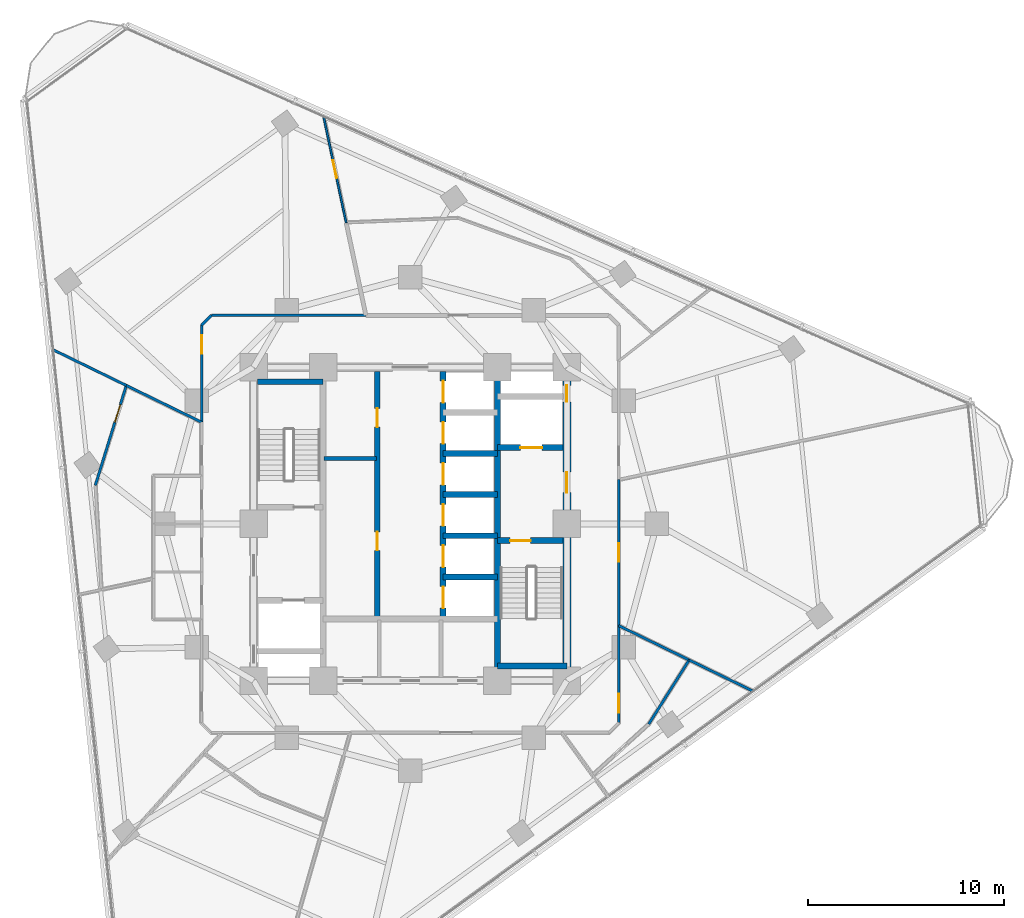
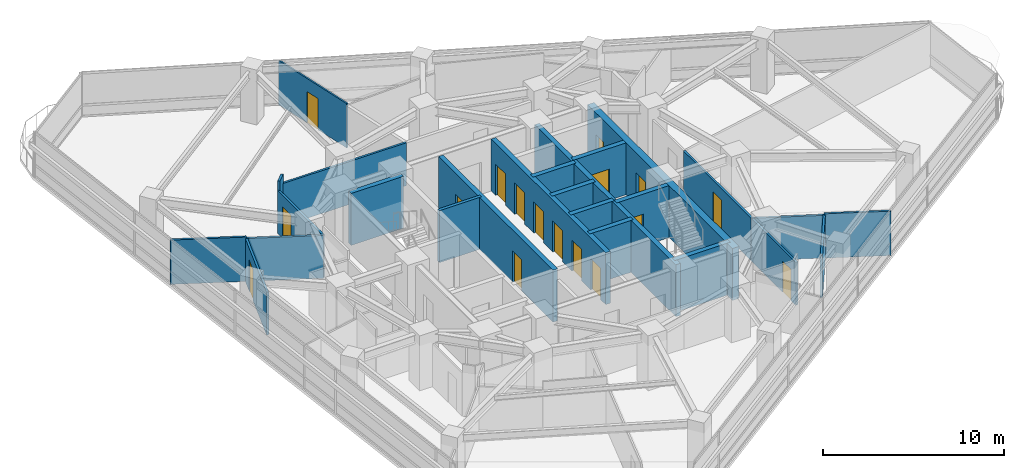
# One storey, part 9 of 14: 25 walls, 17 doors, 17 openings.
"""IFC4 building model written with IfcOpenShell, lengths in metres."""

from ifc_helpers import new_model, si_unit, direction, frame, frame_2d, origin, place, context, subcontext, project, spatial, rectangle, extrude, material, layer, layer_set, type_object, element, fill, save


model = new_model("IFC4")

# Units and contexts
model_context = context("Model", 3, precision=1e-05, world=origin(), true_north=direction((0.0, 1.0)))
body_context = subcontext(model_context, "Body", "Model", "MODEL_VIEW")
ifc_project = project(units=[si_unit("LENGTHUNIT", "METRE"), si_unit("AREAUNIT", "SQUARE_METRE"), si_unit("VOLUMEUNIT", "CUBIC_METRE"), si_unit("PLANEANGLEUNIT", "RADIAN"), si_unit("MASSUNIT", "GRAM", prefix="KILO")], contexts=[model_context])

# Site, building, storey
site_placement = place(None, origin())
site = spatial("IfcSite", under=ifc_project, at=site_placement, CompositionType="ELEMENT")
building_placement = place(site_placement, origin())
building = spatial("IfcBuilding", under=site, at=building_placement, Name="Terralouvre Media Tower", CompositionType="ELEMENT")
storey_placement = place(building_placement, frame((0.0, 0.0, 169.39990234375)))
storey = spatial("IfcBuildingStorey", under=building, at=storey_placement, Name="L43", CompositionType="ELEMENT", Elevation=169.39990234375)

# Walls
ifc_material_1 = material(Name="Concrete C50/60", Category="concrete")
ifc_layer_1 = layer(ifc_material_1, 0.300048828125, Name="Core Internal Shaft Wall CW-300")
ifc_layer_set_1 = layer_set([ifc_layer_1], Name="Concrete C50/60")
wall_type_1 = type_object("IfcWallType", Name="Core Internal Shaft Wall CW-300", PredefinedType="SHEAR", material=ifc_layer_set_1)
wall_1_placement = place(storey_placement, frame((4.449951171875, -7.7900390625, 0.0), z_axis=(0.0, 0.0, 1.0), x_axis=(0.0, 1.0, 0.0)))
element("IfcWall", 1, at=wall_1_placement, inside=storey, type_object=wall_type_1, Name="L43 Core Shaft Wall SPE", PredefinedType="SHEAR", context=body_context, shape_type="SweptSolid", body=[
    extrude(rectangle(XDim=15.580078125, YDim=0.300048828125, at=frame_2d((7.7900390625, 0.0))), origin(), (0.0, 0.0, 1.0), 3.5),
])
wall_2_placement = place(storey_placement, frame((-7.7900390625, 7.260009765625, 0.0), z_axis=(0.0, 0.0, 1.0), x_axis=(1.0, 0.0, 0.0)))
element("IfcWall", 2, at=wall_2_placement, inside=storey, type_object=wall_type_1, Name="L43 Core Shaft Wall ST1F", PredefinedType="SHEAR", context=body_context, shape_type="SweptSolid", body=[
    extrude(rectangle(XDim=3.340087890625, YDim=0.300048828125, at=frame_2d((1.669921875, 0.0))), origin(), (0.0, 0.0, 1.0), 3.5),
])

# Wall, opening, door
wall_3_placement = place(storey_placement, frame((4.449951171875, -0.85009765625, 0.0), z_axis=(0.0, 0.0, 1.0), x_axis=(1.0, 0.0, 0.0)))
wall_3 = element("IfcWall", 3, at=wall_3_placement, inside=storey, type_object=wall_type_1, Name="L43 Core Shaft Wall ST2D", PredefinedType="SHEAR", context=body_context, shape_type="SweptSolid", body=[
    extrude(rectangle(XDim=3.340087890625, YDim=0.300048828125, at=frame_2d((1.669921875, 0.0))), origin(), (0.0, 0.0, 1.0), 3.5),
])
opening_1_placement = place(wall_3_placement, frame((0.64990234375, 0.0, 0.0)))
opening_1 = element("IfcOpeningElement", 4, at=opening_1_placement, cuts=wall_3, Name="Opening FD-01-105X215", PredefinedType="OPENING", context=body_context, shape_type="SweptSolid", body=[
    extrude(rectangle(XDim=1.050048828125, YDim=2.14990234375, at=frame_2d((0.52490234375, 1.074951171875))), frame((0.0, 0.159912109375, 0.0), z_axis=(0.0, -1.0, 0.0), x_axis=(1.0, 0.0, 0.0)), (0.0, 0.0, 1.0), 0.320068359375),
])
ifc_material_2 = material(Name="Galvanised steel fire-resisting leaf", Category="steel")
door_type_1 = type_object("IfcDoorType", Name="Stair and Firefighting Lobby Fire Door FD-01 (1050x2150)", OperationType="NOTDEFINED", PredefinedType="DOOR", material=ifc_material_2)
door_1_placement = place(opening_1_placement, origin())
door_1 = element("IfcDoor", 5, at=door_1_placement, inside=storey, type_object=door_type_1, Name="L43 ST-02 Exit Stair Door", OperationType="SINGLE_SWING_RIGHT", OverallHeight=2.14990234375, OverallWidth=1.050048828125, PredefinedType="DOOR", context=body_context, shape_type="SweptSolid", body=[
    extrude(rectangle(XDim=1.050048828125, YDim=2.14990234375, at=frame_2d((0.52490234375, 1.074951171875))), frame((0.0, 0.02490234375, 0.0), z_axis=(0.0, -1.0, 0.0), x_axis=(1.0, 0.0, 0.0)), (0.0, 0.0, 1.0), 0.050048828125),
])
fill(opening_1, door_1)

# Wall
wall_4_placement = place(storey_placement, frame((4.449951171875, -7.260009765625, 0.0), z_axis=(0.0, 0.0, 1.0), x_axis=(1.0, 0.0, 0.0)))
element("IfcWall", 6, at=wall_4_placement, inside=storey, type_object=wall_type_1, Name="L43 Core Shaft Wall ST2F", PredefinedType="SHEAR", context=body_context, shape_type="SweptSolid", body=[
    extrude(rectangle(XDim=3.550048828125, YDim=0.300048828125, at=frame_2d((1.77490234375, 0.0))), origin(), (0.0, 0.0, 1.0), 3.5),
])

# Wall, opening, door
wall_5_placement = place(storey_placement, frame((4.449951171875, 3.89990234375, 0.0), z_axis=(0.0, 0.0, 1.0), x_axis=(1.0, 0.0, 0.0)))
wall_5 = element("IfcWall", 7, at=wall_5_placement, inside=storey, type_object=wall_type_1, Name="L43 Core Shaft Wall FF2S", PredefinedType="SHEAR", context=body_context, shape_type="SweptSolid", body=[
    extrude(rectangle(XDim=3.340087890625, YDim=0.300048828125, at=frame_2d((1.669921875, 0.0))), origin(), (0.0, 0.0, 1.0), 3.5),
])
opening_2_placement = place(wall_5_placement, frame((1.179931640625, 0.0, 0.0)))
opening_2 = element("IfcOpeningElement", 8, at=opening_2_placement, cuts=wall_5, Name="Opening LD-FF", PredefinedType="OPENING", context=body_context, shape_type="SweptSolid", body=[
    extrude(rectangle(XDim=1.10009765625, YDim=2.10009765625, at=frame_2d((0.550048828125, 1.050048828125))), frame((0.0, 0.159912109375, 0.0), z_axis=(0.0, -1.0, 0.0), x_axis=(1.0, 0.0, 0.0)), (0.0, 0.0, 1.0), 0.320068359375),
])
ifc_material_3 = material(Name="Stainless steel 316 handrail and balustrade", Category="steel")
door_type_2 = type_object("IfcDoorType", Name="Firefighting Lift Sliding Landing Door LD-FF", OperationType="SLIDING_TO_LEFT", PredefinedType="DOOR", material=ifc_material_3)
door_2_placement = place(opening_2_placement, origin())
door_2 = element("IfcDoor", 9, at=door_2_placement, inside=storey, type_object=door_type_2, Name="L43 Firefighting Lift FFL-02 Landing Door", OperationType="SLIDING_TO_LEFT", OverallHeight=2.10009765625, OverallWidth=1.10009765625, PredefinedType="DOOR", context=body_context, shape_type="SweptSolid", body=[
    extrude(rectangle(XDim=1.10009765625, YDim=2.10009765625, at=frame_2d((0.550048828125, 1.050048828125))), frame((0.0, 0.02490234375, 0.0), z_axis=(0.0, -1.0, 0.0), x_axis=(1.0, 0.0, 0.0)), (0.0, 0.0, 1.0), 0.050048828125),
])
fill(opening_2, door_2)

# Wall, openings, doors
wall_6_placement = place(storey_placement, frame((-1.679931640625, -4.85009765625, 0.0), z_axis=(0.0, 0.0, 1.0), x_axis=(0.0, 1.0, 0.0)))
wall_6 = element("IfcWall", 10, at=wall_6_placement, inside=storey, type_object=wall_type_1, Name="L43 Core Shaft Wall LBW", PredefinedType="SHEAR", context=body_context, shape_type="SweptSolid", body=[
    extrude(rectangle(XDim=12.64013671875, YDim=0.300048828125, at=frame_2d((6.320068359375, 0.0))), origin(), (0.0, 0.0, 1.0), 3.5),
])
opening_3_placement = place(wall_6_placement, frame((3.5, 0.0, 0.0)))
opening_3 = element("IfcOpeningElement", 11, at=opening_3_placement, cuts=wall_6, Name="Opening FD-04-95X210", PredefinedType="OPENING", context=body_context, shape_type="SweptSolid", body=[
    extrude(rectangle(XDim=0.949951171875, YDim=2.10009765625, at=frame_2d((0.47509765625, 1.050048828125))), frame((0.0, 0.159912109375, 0.0), z_axis=(0.0, -1.0, 0.0), x_axis=(1.0, 0.0, 0.0)), (0.0, 0.0, 1.0), 0.320068359375),
])
opening_4_placement = place(wall_6_placement, frame((9.800048828125, 0.0, 0.0)))
opening_4 = element("IfcOpeningElement", 12, at=opening_4_placement, cuts=wall_6, Name="Opening FD-02-95X210", PredefinedType="OPENING", context=body_context, shape_type="SweptSolid", body=[
    extrude(rectangle(XDim=0.949951171875, YDim=2.10009765625, at=frame_2d((0.47509765625, 1.050048828125))), frame((0.0, 0.159912109375, 0.0), z_axis=(0.0, -1.0, 0.0), x_axis=(1.0, 0.0, 0.0)), (0.0, 0.0, 1.0), 0.320068359375),
])
ifc_material_4 = material(Name="Galvanised steel fire-resisting leaf", Category="steel")
door_type_3 = type_object("IfcDoorType", Name="Core Store and Service Fire Door FD-04 (950x2100)", OperationType="NOTDEFINED", PredefinedType="DOOR", material=ifc_material_4)
door_3_placement = place(opening_3_placement, origin())
door_3 = element("IfcDoor", 13, at=door_3_placement, inside=storey, type_object=door_type_3, Name="L43 Core Archive Store Door", OperationType="SINGLE_SWING_LEFT", OverallHeight=2.10009765625, OverallWidth=0.949951171875, PredefinedType="DOOR", context=body_context, shape_type="SweptSolid", body=[
    extrude(rectangle(XDim=0.949951171875, YDim=2.10009765625, at=frame_2d((0.47509765625, 1.050048828125))), frame((0.0, 0.02490234375, 0.0), z_axis=(0.0, -1.0, 0.0), x_axis=(1.0, 0.0, 0.0)), (0.0, 0.0, 1.0), 0.050048828125),
])
fill(opening_3, door_3)
ifc_material_5 = material(Name="Galvanised steel fire-resisting leaf", Category="steel")
door_type_4 = type_object("IfcDoorType", Name="Plant and Riser Fire Door FD-02 (950x2100)", OperationType="NOTDEFINED", PredefinedType="DOOR", material=ifc_material_5)
door_4_placement = place(opening_4_placement, origin())
door_4 = element("IfcDoor", 14, at=door_4_placement, inside=storey, type_object=door_type_4, Name="L43 Core AV Repeater Plant Door", OperationType="SINGLE_SWING_RIGHT", OverallHeight=2.10009765625, OverallWidth=0.949951171875, PredefinedType="DOOR", context=body_context, shape_type="SweptSolid", body=[
    extrude(rectangle(XDim=0.949951171875, YDim=2.10009765625, at=frame_2d((0.47509765625, 1.050048828125))), frame((0.0, 0.02490234375, 0.0), z_axis=(0.0, -1.0, 0.0), x_axis=(1.0, 0.0, 0.0)), (0.0, 0.0, 1.0), 0.050048828125),
])
fill(opening_4, door_4)

wall_7_placement = place(storey_placement, frame((1.679931640625, -4.85009765625, 0.0), z_axis=(0.0, 0.0, 1.0), x_axis=(0.0, 1.0, 0.0)))
wall_7 = element("IfcWall", 15, at=wall_7_placement, inside=storey, type_object=wall_type_1, Name="L43 Core Shaft Wall LBE", PredefinedType="SHEAR", context=body_context, shape_type="SweptSolid", body=[
    extrude(rectangle(XDim=12.64013671875, YDim=0.300048828125, at=frame_2d((6.320068359375, 0.0))), origin(), (0.0, 0.0, 1.0), 3.5),
])
opening_5_placement = place(wall_7_placement, frame((0.550048828125, 0.0, 0.0)))
opening_5 = element("IfcOpeningElement", 16, at=opening_5_placement, cuts=wall_7, Name="Opening LD-PL", PredefinedType="OPENING", context=body_context, shape_type="SweptSolid", body=[
    extrude(rectangle(XDim=1.10009765625, YDim=2.10009765625, at=frame_2d((0.550048828125, 1.050048828125))), frame((0.0, 0.159912109375, 0.0), z_axis=(0.0, -1.0, 0.0), x_axis=(1.0, 0.0, 0.0)), (0.0, 0.0, 1.0), 0.320068359375),
])
opening_6_placement = place(wall_7_placement, frame((2.64990234375, 0.0, 0.0)))
opening_6 = element("IfcOpeningElement", 17, at=opening_6_placement, cuts=wall_7, Name="Opening LD-PL", PredefinedType="OPENING", context=body_context, shape_type="SweptSolid", body=[
    extrude(rectangle(XDim=1.10009765625, YDim=2.10009765625, at=frame_2d((0.550048828125, 1.050048828125))), frame((0.0, 0.159912109375, 0.0), z_axis=(0.0, -1.0, 0.0), x_axis=(1.0, 0.0, 0.0)), (0.0, 0.0, 1.0), 0.320068359375),
])
opening_7_placement = place(wall_7_placement, frame((4.75, 0.0, 0.0)))
opening_7 = element("IfcOpeningElement", 18, at=opening_7_placement, cuts=wall_7, Name="Opening LD-PL", PredefinedType="OPENING", context=body_context, shape_type="SweptSolid", body=[
    extrude(rectangle(XDim=1.10009765625, YDim=2.10009765625, at=frame_2d((0.550048828125, 1.050048828125))), frame((0.0, 0.159912109375, 0.0), z_axis=(0.0, -1.0, 0.0), x_axis=(1.0, 0.0, 0.0)), (0.0, 0.0, 1.0), 0.320068359375),
])
opening_8_placement = place(wall_7_placement, frame((6.85009765625, 0.0, 0.0)))
opening_8 = element("IfcOpeningElement", 19, at=opening_8_placement, cuts=wall_7, Name="Opening LD-PL", PredefinedType="OPENING", context=body_context, shape_type="SweptSolid", body=[
    extrude(rectangle(XDim=1.10009765625, YDim=2.10009765625, at=frame_2d((0.550048828125, 1.050048828125))), frame((0.0, 0.159912109375, 0.0), z_axis=(0.0, -1.0, 0.0), x_axis=(1.0, 0.0, 0.0)), (0.0, 0.0, 1.0), 0.320068359375),
])
opening_9_placement = place(wall_7_placement, frame((8.949951171875, 0.0, 0.0)))
opening_9 = element("IfcOpeningElement", 20, at=opening_9_placement, cuts=wall_7, Name="Opening LD-PL", PredefinedType="OPENING", context=body_context, shape_type="SweptSolid", body=[
    extrude(rectangle(XDim=1.10009765625, YDim=2.10009765625, at=frame_2d((0.550048828125, 1.050048828125))), frame((0.0, 0.159912109375, 0.0), z_axis=(0.0, -1.0, 0.0), x_axis=(1.0, 0.0, 0.0)), (0.0, 0.0, 1.0), 0.320068359375),
])
opening_10_placement = place(wall_7_placement, frame((11.050048828125, 0.0, 0.0)))
opening_10 = element("IfcOpeningElement", 21, at=opening_10_placement, cuts=wall_7, Name="Opening LD-PL", PredefinedType="OPENING", context=body_context, shape_type="SweptSolid", body=[
    extrude(rectangle(XDim=1.10009765625, YDim=2.10009765625, at=frame_2d((0.550048828125, 1.050048828125))), frame((0.0, 0.159912109375, 0.0), z_axis=(0.0, -1.0, 0.0), x_axis=(1.0, 0.0, 0.0)), (0.0, 0.0, 1.0), 0.320068359375),
])
ifc_material_6 = material(Name="Stainless steel 316 handrail and balustrade", Category="steel")
door_type_5 = type_object("IfcDoorType", Name="Passenger Lift Sliding Landing Door LD-PL", OperationType="SLIDING_TO_LEFT", PredefinedType="DOOR", material=ifc_material_6)
door_5_placement = place(opening_5_placement, origin())
door_5 = element("IfcDoor", 22, at=door_5_placement, inside=storey, type_object=door_type_5, Name="L43 High-Rise Lift PL-H1 Landing Door", OperationType="SLIDING_TO_LEFT", OverallHeight=2.10009765625, OverallWidth=1.10009765625, PredefinedType="DOOR", context=body_context, shape_type="SweptSolid", body=[
    extrude(rectangle(XDim=1.10009765625, YDim=2.10009765625, at=frame_2d((0.550048828125, 1.050048828125))), frame((0.0, 0.02490234375, 0.0), z_axis=(0.0, -1.0, 0.0), x_axis=(1.0, 0.0, 0.0)), (0.0, 0.0, 1.0), 0.050048828125),
])
fill(opening_5, door_5)
door_6_placement = place(opening_6_placement, origin())
door_6 = element("IfcDoor", 23, at=door_6_placement, inside=storey, type_object=door_type_5, Name="L43 High-Rise Lift PL-H2 Landing Door", OperationType="SLIDING_TO_LEFT", OverallHeight=2.10009765625, OverallWidth=1.10009765625, PredefinedType="DOOR", context=body_context, shape_type="SweptSolid", body=[
    extrude(rectangle(XDim=1.10009765625, YDim=2.10009765625, at=frame_2d((0.550048828125, 1.050048828125))), frame((0.0, 0.02490234375, 0.0), z_axis=(0.0, -1.0, 0.0), x_axis=(1.0, 0.0, 0.0)), (0.0, 0.0, 1.0), 0.050048828125),
])
fill(opening_6, door_6)
door_7_placement = place(opening_7_placement, origin())
door_7 = element("IfcDoor", 24, at=door_7_placement, inside=storey, type_object=door_type_5, Name="L43 High-Rise Lift PL-H3 Landing Door", OperationType="SLIDING_TO_LEFT", OverallHeight=2.10009765625, OverallWidth=1.10009765625, PredefinedType="DOOR", context=body_context, shape_type="SweptSolid", body=[
    extrude(rectangle(XDim=1.10009765625, YDim=2.10009765625, at=frame_2d((0.550048828125, 1.050048828125))), frame((0.0, 0.02490234375, 0.0), z_axis=(0.0, -1.0, 0.0), x_axis=(1.0, 0.0, 0.0)), (0.0, 0.0, 1.0), 0.050048828125),
])
fill(opening_7, door_7)
door_8_placement = place(opening_8_placement, origin())
door_8 = element("IfcDoor", 25, at=door_8_placement, inside=storey, type_object=door_type_5, Name="L43 Mid-Rise Lift PL-M1 Landing Door", OperationType="SLIDING_TO_LEFT", OverallHeight=2.10009765625, OverallWidth=1.10009765625, PredefinedType="DOOR", context=body_context, shape_type="SweptSolid", body=[
    extrude(rectangle(XDim=1.10009765625, YDim=2.10009765625, at=frame_2d((0.550048828125, 1.050048828125))), frame((0.0, 0.02490234375, 0.0), z_axis=(0.0, -1.0, 0.0), x_axis=(1.0, 0.0, 0.0)), (0.0, 0.0, 1.0), 0.050048828125),
])
fill(opening_8, door_8)
door_9_placement = place(opening_9_placement, origin())
door_9 = element("IfcDoor", 26, at=door_9_placement, inside=storey, type_object=door_type_5, Name="L43 Mid-Rise Lift PL-M2 Landing Door", OperationType="SLIDING_TO_LEFT", OverallHeight=2.10009765625, OverallWidth=1.10009765625, PredefinedType="DOOR", context=body_context, shape_type="SweptSolid", body=[
    extrude(rectangle(XDim=1.10009765625, YDim=2.10009765625, at=frame_2d((0.550048828125, 1.050048828125))), frame((0.0, 0.02490234375, 0.0), z_axis=(0.0, -1.0, 0.0), x_axis=(1.0, 0.0, 0.0)), (0.0, 0.0, 1.0), 0.050048828125),
])
fill(opening_9, door_9)
door_10_placement = place(opening_10_placement, origin())
door_10 = element("IfcDoor", 27, at=door_10_placement, inside=storey, type_object=door_type_5, Name="L43 Mid-Rise Lift PL-M3 Landing Door", OperationType="SLIDING_TO_LEFT", OverallHeight=2.10009765625, OverallWidth=1.10009765625, PredefinedType="DOOR", context=body_context, shape_type="SweptSolid", body=[
    extrude(rectangle(XDim=1.10009765625, YDim=2.10009765625, at=frame_2d((0.550048828125, 1.050048828125))), frame((0.0, 0.02490234375, 0.0), z_axis=(0.0, -1.0, 0.0), x_axis=(1.0, 0.0, 0.0)), (0.0, 0.0, 1.0), 0.050048828125),
])
fill(opening_10, door_10)

# Walls
for number, where, z_axis, x_axis, name in (
    (28, (1.679931640625, 1.5, 0.0), (0.0, 0.0, 1.0), (1.0, 0.0, 0.0), "L43 Core Shaft Wall PLMD0"),
    (29, (1.679931640625, 3.60009765625, 0.0), (0.0, 0.0, 1.0), (1.0, 0.0, 0.0), "L43 Core Shaft Wall PLMD1"),
    (30, (1.679931640625, -2.699951171875, 0.0), (0.0, 0.0, 1.0), (1.0, 0.0, 0.0), "L43 Core Shaft Wall PLHD1"),
    (31, (1.679931640625, -0.60009765625, 0.0), (0.0, 0.0, 1.0), (1.0, 0.0, 0.0), "L43 Core Shaft Wall PLHD2"),
):
    element("IfcWall", number, at=place(storey_placement, frame(where, z_axis=z_axis, x_axis=x_axis)), inside=storey, type_object=wall_type_1, Name=name, PredefinedType="SHEAR", context=body_context, shape_type="SweptSolid", body=[
        extrude(rectangle(XDim=2.77001953125, YDim=0.300048828125, at=frame_2d((1.385009765625, 0.0))), origin(), (0.0, 0.0, 1.0), 3.5),
    ])

# Wall, openings, doors
ifc_material_7 = material(Name="Concrete C60/75", Category="concrete")
ifc_layer_2 = layer(ifc_material_7, 0.419921875, Name="Core Reinforced Concrete Shear Wall CW-420")
ifc_layer_set_2 = layer_set([ifc_layer_2], Name="Concrete C60/75")
wall_type_2 = type_object("IfcWallType", Name="Core Reinforced Concrete Shear Wall CW-420", PredefinedType="SHEAR", material=ifc_layer_set_2)
wall_8_placement = place(storey_placement, frame((8.0, -8.0, 0.0), z_axis=(0.0, 0.0, 1.0), x_axis=(0.0, 1.0, 0.0)))
wall_8 = element("IfcWall", 32, at=wall_8_placement, inside=storey, type_object=wall_type_2, Name="L43 E Core Shear Wall", PredefinedType="SHEAR", context=body_context, shape_type="SweptSolid", body=[
    extrude(rectangle(XDim=16.0, YDim=0.419921875, at=frame_2d((8.0, 0.0))), origin(), (0.0, 0.0, 1.0), 3.5),
])
opening_11_placement = place(wall_8_placement, frame((9.60009765625, 0.0, 0.0)))
opening_11 = element("IfcOpeningElement", 33, at=opening_11_placement, cuts=wall_8, Name="Opening FD-01-105X215", PredefinedType="OPENING", context=body_context, shape_type="SweptSolid", body=[
    extrude(rectangle(XDim=1.050048828125, YDim=2.14990234375, at=frame_2d((0.52490234375, 1.074951171875))), frame((0.0, 0.219970703125, 0.0), z_axis=(0.0, -1.0, 0.0), x_axis=(1.0, 0.0, 0.0)), (0.0, 0.0, 1.0), 0.43994140625),
])
opening_12_placement = place(wall_8_placement, frame((14.228515625, 0.0, 0.0)))
opening_12 = element("IfcOpeningElement", 34, at=opening_12_placement, cuts=wall_8, Name="Opening TD-R1", PredefinedType="OPENING", context=body_context, shape_type="SweptSolid", body=[
    extrude(rectangle(XDim=0.85009765625, YDim=2.02001953125, at=frame_2d((0.425048828125, 1.010009765625))), frame((0.0, 0.219970703125, 0.0), z_axis=(0.0, -1.0, 0.0), x_axis=(1.0, 0.0, 0.0)), (0.0, 0.0, 1.0), 0.43994140625),
])
ifc_material_8 = material(Name="Galvanised steel fire-resisting leaf", Category="steel")
door_type_6 = type_object("IfcDoorType", Name="Riser Inspection Access Trapdoor TD-R1", OperationType="NOTDEFINED", PredefinedType="TRAPDOOR", material=ifc_material_8)
door_11_placement = place(opening_12_placement, origin())
door_11 = element("IfcDoor", 35, at=door_11_placement, inside=storey, type_object=door_type_6, Name="L43 East Comms Riser Access Trapdoor", OperationType="SINGLE_SWING_RIGHT", OverallHeight=2.02001953125, OverallWidth=0.85009765625, PredefinedType="TRAPDOOR", context=body_context, shape_type="SweptSolid", body=[
    extrude(rectangle(XDim=0.85009765625, YDim=2.02001953125, at=frame_2d((0.425048828125, 1.010009765625))), frame((0.0, 0.02490234375, 0.0), z_axis=(0.0, -1.0, 0.0), x_axis=(1.0, 0.0, 0.0)), (0.0, 0.0, 1.0), 0.050048828125),
])
fill(opening_12, door_11)
door_12_placement = place(opening_11_placement, origin())
door_12 = element("IfcDoor", 36, at=door_12_placement, inside=storey, type_object=door_type_1, Name="L43 East Firefighting Lobby Entry Door", OperationType="SINGLE_SWING_LEFT", OverallHeight=2.14990234375, OverallWidth=1.050048828125, PredefinedType="DOOR", context=body_context, shape_type="SweptSolid", body=[
    extrude(rectangle(XDim=1.050048828125, YDim=2.14990234375, at=frame_2d((0.52490234375, 1.074951171875))), frame((0.0, 0.02490234375, 0.0), z_axis=(0.0, -1.0, 0.0), x_axis=(1.0, 0.0, 0.0)), (0.0, 0.0, 1.0), 0.050048828125),
])
fill(opening_11, door_12)

# Wall, opening, door
ifc_material_9 = material(Name="Low-iron laminated double glazing with solar-control coating", Category="glass")
ifc_layer_3 = layer(ifc_material_9, 0.10009765625, Name="Demountable Glazed Office Partition PT-GL100")
ifc_layer_set_3 = layer_set([ifc_layer_3], Name="Low-iron laminated double glazing with solar-control coating")
wall_type_3 = type_object("IfcWallType", Name="Demountable Glazed Office Partition PT-GL100", PredefinedType="MOVABLE", material=ifc_layer_set_3)
wall_9_placement = place(storey_placement, frame((-4.432373046875, 20.850830078125, 0.0), z_axis=(0.0, 0.0, 1.0), x_axis=(0.208032106743, -0.978121997792, 0.0)))
wall_9 = element("IfcWall", 37, at=wall_9_placement, inside=storey, type_object=wall_type_3, Name="L43 Interior Partition 047", PredefinedType="MOVABLE", context=body_context, shape_type="SweptSolid", body=[
    extrude(rectangle(XDim=5.592041015625, YDim=0.10009765625, at=frame_2d((2.7958984375, 0.0))), origin(), (0.0, 0.0, 1.0), 2.985107421875),
])
opening_13_placement = place(wall_9_placement, frame((2.336181640625, 0.0, 0.0)))
opening_13 = element("IfcOpeningElement", 38, at=opening_13_placement, cuts=wall_9, Name="Opening ID-03-92X210", PredefinedType="OPENING", context=body_context, shape_type="SweptSolid", body=[
    extrude(rectangle(XDim=0.919921875, YDim=2.10009765625, at=frame_2d((0.4599609375, 1.050048828125))), frame((0.0, 0.06005859375, 0.0), z_axis=(0.0, -1.0, 0.0), x_axis=(1.0, 0.0, 0.0)), (0.0, 0.0, 1.0), 0.1201171875),
])
ifc_material_10 = material(Name="Engineered hardwood acoustic timber leaf", Category="wood")
door_type_7 = type_object("IfcDoorType", Name="Accessible Restroom and Suite Door ID-03 (920x2100)", OperationType="NOTDEFINED", PredefinedType="DOOR", material=ifc_material_10)
door_13_placement = place(opening_13_placement, origin())
door_13 = element("IfcDoor", 39, at=door_13_placement, inside=storey, type_object=door_type_7, Name="L43 Student Project Breakout Room 9 Door", OperationType="SINGLE_SWING_RIGHT", OverallHeight=2.10009765625, OverallWidth=0.919921875, PredefinedType="DOOR", context=body_context, shape_type="SweptSolid", body=[
    extrude(rectangle(XDim=0.919921875, YDim=2.10009765625, at=frame_2d((0.4599609375, 1.050048828125))), frame((0.0, 0.02490234375, 0.0), z_axis=(0.0, -1.0, 0.0), x_axis=(1.0, 0.0, 0.0)), (0.0, 0.0, 1.0), 0.050048828125),
])
fill(opening_13, door_13)

# Wall
ifc_material_11 = material(Name="Fire-rated gypsum board drywall partition")
ifc_layer_4 = layer(ifc_material_11, 0.199951171875, Name="Fire-Rated Shaft and Lobby Partition FW-200")
ifc_layer_set_4 = layer_set([ifc_layer_4], Name="Fire-rated gypsum board drywall partition")
wall_type_4 = type_object("IfcWallType", Name="Fire-Rated Shaft and Lobby Partition FW-200", PredefinedType="SOLIDWALL", material=ifc_layer_set_4)
wall_10_placement = place(storey_placement, frame((-4.39990234375, 3.340087890625, 0.0), z_axis=(0.0, 0.0, 1.0), x_axis=(1.0, 0.0, 0.0)))
element("IfcWall", 40, at=wall_10_placement, inside=storey, type_object=wall_type_4, Name="L43 Core West Sub-Partition 1", PredefinedType="SOLIDWALL", context=body_context, shape_type="SweptSolid", body=[
    extrude(rectangle(XDim=2.679931640625, YDim=0.199951171875, at=frame_2d((1.33984375, 0.0))), origin(), (0.0, 0.0, 1.0), 3.5),
])

# Wall, opening, door
ifc_material_12 = material(Name="Fire-rated gypsum board drywall partition")
ifc_layer_5 = layer(ifc_material_12, 0.135009765625, Name="Newsroom Acoustic Partition PT-135")
ifc_layer_set_5 = layer_set([ifc_layer_5], Name="Fire-rated gypsum board drywall partition")
wall_type_5 = type_object("IfcWallType", Name="Newsroom Acoustic Partition PT-135", PredefinedType="PARTITIONING", material=ifc_layer_set_5)
wall_11_placement = place(storey_placement, frame((10.64990234375, -10.14990234375, 0.0), z_axis=(0.0, 0.0, 1.0), x_axis=(0.0, 1.0, 0.0)))
wall_11 = element("IfcWall", 41, at=wall_11_placement, inside=storey, type_object=wall_type_5, Name="L43 Interior Partition 010", PredefinedType="PARTITIONING", context=body_context, shape_type="SweptSolid", body=[
    extrude(rectangle(XDim=4.955810546875, YDim=0.135009765625, at=frame_2d((2.47802734375, 0.0))), origin(), (0.0, 0.0, 1.0), 2.885009765625),
])
opening_14_placement = place(wall_11_placement, frame((0.51611328125, 0.0, 0.0)))
opening_14 = element("IfcOpeningElement", 42, at=opening_14_placement, cuts=wall_11, Name="Opening ID-02-95X210", PredefinedType="OPENING", context=body_context, shape_type="SweptSolid", body=[
    extrude(rectangle(XDim=0.949951171875, YDim=2.10009765625, at=frame_2d((0.47509765625, 1.050048828125))), frame((0.0, 0.077392578125, 0.0), z_axis=(0.0, -1.0, 0.0), x_axis=(1.0, 0.0, 0.0)), (0.0, 0.0, 1.0), 0.155029296875),
])
ifc_material_13 = material(Name="Engineered hardwood acoustic timber leaf", Category="wood")
door_type_8 = type_object("IfcDoorType", Name="Office and Meeting Room Door ID-02 (950x2100)", OperationType="NOTDEFINED", PredefinedType="DOOR", material=ifc_material_13)
door_14_placement = place(opening_14_placement, origin())
door_14 = element("IfcDoor", 43, at=door_14_placement, inside=storey, type_object=door_type_8, Name="L43 Media Reference Library 5 Door", OperationType="SINGLE_SWING_RIGHT", OverallHeight=2.10009765625, OverallWidth=0.949951171875, PredefinedType="DOOR", context=body_context, shape_type="SweptSolid", body=[
    extrude(rectangle(XDim=0.949951171875, YDim=2.10009765625, at=frame_2d((0.47509765625, 1.050048828125))), frame((0.0, 0.02490234375, 0.0), z_axis=(0.0, -1.0, 0.0), x_axis=(1.0, 0.0, 0.0)), (0.0, 0.0, 1.0), 0.050048828125),
])
fill(opening_14, door_14)

wall_12_placement = place(storey_placement, frame((10.64990234375, -5.194091796875, 0.0), z_axis=(0.0, 0.0, 1.0), x_axis=(0.0, 1.0, 0.0)))
wall_12 = element("IfcWall", 44, at=wall_12_placement, inside=storey, type_object=wall_type_5, Name="L43 Interior Partition 011", PredefinedType="PARTITIONING", context=body_context, shape_type="SweptSolid", body=[
    extrude(rectangle(XDim=7.4580078125, YDim=0.135009765625, at=frame_2d((3.72900390625, 0.0))), origin(), (0.0, 0.0, 1.0), 2.885009765625),
])
opening_15_placement = place(wall_12_placement, frame((3.25390625, 0.0, 0.0)))
opening_15 = element("IfcOpeningElement", 45, at=opening_15_placement, cuts=wall_12, Name="Opening ID-02-95X210", PredefinedType="OPENING", context=body_context, shape_type="SweptSolid", body=[
    extrude(rectangle(XDim=0.949951171875, YDim=2.10009765625, at=frame_2d((0.47509765625, 1.050048828125))), frame((0.0, 0.077392578125, 0.0), z_axis=(0.0, -1.0, 0.0), x_axis=(1.0, 0.0, 0.0)), (0.0, 0.0, 1.0), 0.155029296875),
])
door_15_placement = place(opening_15_placement, origin())
door_15 = element("IfcDoor", 46, at=door_15_placement, inside=storey, type_object=door_type_8, Name="L43 Faculty Consultation Office 7 Door", OperationType="SINGLE_SWING_LEFT", OverallHeight=2.10009765625, OverallWidth=0.949951171875, PredefinedType="DOOR", context=body_context, shape_type="SweptSolid", body=[
    extrude(rectangle(XDim=0.949951171875, YDim=2.10009765625, at=frame_2d((0.47509765625, 1.050048828125))), frame((0.0, 0.02490234375, 0.0), z_axis=(0.0, -1.0, 0.0), x_axis=(1.0, 0.0, 0.0)), (0.0, 0.0, 1.0), 0.050048828125),
])
fill(opening_15, door_15)

# Walls
wall_13_placement = place(storey_placement, frame((-2.263916015625, 10.64990234375, 0.0), z_axis=(0.0, 0.0, 1.0), x_axis=(-1.0, 0.0, 0.0)))
element("IfcWall", 47, at=wall_13_placement, inside=storey, type_object=wall_type_5, Name="L43 Interior Partition 016", PredefinedType="PARTITIONING", context=body_context, shape_type="SweptSolid", body=[
    extrude(rectangle(XDim=7.885986328125, YDim=0.135009765625, at=frame_2d((3.94287109375, 0.0))), origin(), (0.0, 0.0, 1.0), 2.885009765625),
])
wall_14_placement = place(storey_placement, frame((-10.14990234375, 10.64990234375, 0.0), z_axis=(0.0, 0.0, 1.0), x_axis=(-0.707106781187, -0.707106781187, 0.0)))
element("IfcWall", 48, at=wall_14_placement, inside=storey, type_object=wall_type_5, Name="L43 Interior Partition 017", PredefinedType="PARTITIONING", context=body_context, shape_type="SweptSolid", body=[
    extrude(rectangle(XDim=0.70703125, YDim=0.135009765625, at=frame_2d((0.353515625, 0.0))), origin(), (0.0, 0.0, 1.0), 3.5),
])

# Wall, opening, door
wall_15_placement = place(storey_placement, frame((-10.64990234375, 10.14990234375, 0.0), z_axis=(0.0, 0.0, 1.0), x_axis=(0.0, -1.0, 0.0)))
wall_15 = element("IfcWall", 49, at=wall_15_placement, inside=storey, type_object=wall_type_5, Name="L43 Interior Partition 018", PredefinedType="PARTITIONING", context=body_context, shape_type="SweptSolid", body=[
    extrude(rectangle(XDim=4.955810546875, YDim=0.135009765625, at=frame_2d((2.47802734375, 0.0))), origin(), (0.0, 0.0, 1.0), 2.885009765625),
])
opening_16_placement = place(wall_15_placement, frame((0.51611328125, 0.0, 0.0)))
opening_16 = element("IfcOpeningElement", 50, at=opening_16_placement, cuts=wall_15, Name="Opening ID-02-95X210", PredefinedType="OPENING", context=body_context, shape_type="SweptSolid", body=[
    extrude(rectangle(XDim=0.949951171875, YDim=2.10009765625, at=frame_2d((0.47509765625, 1.050048828125))), frame((0.0, 0.077392578125, 0.0), z_axis=(0.0, -1.0, 0.0), x_axis=(1.0, 0.0, 0.0)), (0.0, 0.0, 1.0), 0.155029296875),
])
door_16_placement = place(opening_16_placement, origin())
door_16 = element("IfcDoor", 51, at=door_16_placement, inside=storey, type_object=door_type_8, Name="L43 Curriculum Archive Storage 11 Door", OperationType="SINGLE_SWING_RIGHT", OverallHeight=2.10009765625, OverallWidth=0.949951171875, PredefinedType="DOOR", context=body_context, shape_type="SweptSolid", body=[
    extrude(rectangle(XDim=0.949951171875, YDim=2.10009765625, at=frame_2d((0.47509765625, 1.050048828125))), frame((0.0, 0.02490234375, 0.0), z_axis=(0.0, -1.0, 0.0), x_axis=(1.0, 0.0, 0.0)), (0.0, 0.0, 1.0), 0.050048828125),
])
fill(opening_16, door_16)

# Walls
wall_16_placement = place(storey_placement, frame((12.179931640625, -10.219970703125, 0.0), z_axis=(0.0, 0.0, 1.0), x_axis=(0.533748447558, 0.845643302302, 0.0)))
element("IfcWall", 52, at=wall_16_placement, inside=storey, type_object=wall_type_5, Name="L43 Interior Partition 038", PredefinedType="PARTITIONING", context=body_context, shape_type="SweptSolid", body=[
    extrude(rectangle(XDim=3.869140625, YDim=0.135009765625, at=frame_2d((1.9345703125, 0.0))), origin(), (0.0, 0.0, 1.0), 2.885009765625),
])
wall_17_placement = place(storey_placement, frame((14.2451171875, -6.947998046875, 0.0), z_axis=(0.0, 0.0, 1.0), x_axis=(-0.898754367686, 0.43845249066, 0.0)))
element("IfcWall", 53, at=wall_17_placement, inside=storey, type_object=wall_type_5, Name="L43 Interior Partition 039", PredefinedType="PARTITIONING", context=body_context, shape_type="SweptSolid", body=[
    extrude(rectangle(XDim=4.000244140625, YDim=0.135009765625, at=frame_2d((2.0, 0.0))), origin(), (0.0, 0.0, 1.0), 2.885009765625),
])
wall_18_placement = place(storey_placement, frame((17.55517578125, -8.56201171875, 0.0), z_axis=(0.0, 0.0, 1.0), x_axis=(-0.898837884032, 0.438281254708, 0.0)))
element("IfcWall", 54, at=wall_18_placement, inside=storey, type_object=wall_type_5, Name="L43 Interior Partition 040", PredefinedType="PARTITIONING", context=body_context, shape_type="SweptSolid", body=[
    extrude(rectangle(XDim=3.6826171875, YDim=0.135009765625, at=frame_2d((1.84130859375, 0.0))), origin(), (0.0, 0.0, 1.0), 2.985107421875),
])
wall_19_placement = place(storey_placement, frame((-18.27734375, 8.914794921875, 0.0), z_axis=(0.0, 0.0, 1.0), x_axis=(0.898795221882, -0.43836873648, 0.0)))
element("IfcWall", 55, at=wall_19_placement, inside=storey, type_object=wall_type_5, Name="L43 Interior Partition 049", PredefinedType="PARTITIONING", context=body_context, shape_type="SweptSolid", body=[
    extrude(rectangle(XDim=4.2060546875, YDim=0.135009765625, at=frame_2d((2.10302734375, 0.0))), origin(), (0.0, 0.0, 1.0), 2.985107421875),
])
wall_20_placement = place(storey_placement, frame((-14.4970703125, 7.071044921875, 0.0), z_axis=(0.0, 0.0, 1.0), x_axis=(0.89874213328, -0.438477568261, 0.0)))
element("IfcWall", 56, at=wall_20_placement, inside=storey, type_object=wall_type_5, Name="L43 Interior Partition 050", PredefinedType="PARTITIONING", context=body_context, shape_type="SweptSolid", body=[
    extrude(rectangle(XDim=4.280517578125, YDim=0.135009765625, at=frame_2d((2.14013671875, 0.0))), origin(), (0.0, 0.0, 1.0), 2.885009765625),
])

# Wall, opening, door
wall_21_placement = place(storey_placement, frame((-16.0791015625, 1.97412109375, 0.0), z_axis=(0.0, 0.0, 1.0), x_axis=(0.296438064518, 0.955052079158, 0.0)))
wall_21 = element("IfcWall", 57, at=wall_21_placement, inside=storey, type_object=wall_type_5, Name="L43 Interior Partition 052", PredefinedType="PARTITIONING", context=body_context, shape_type="SweptSolid", body=[
    extrude(rectangle(XDim=5.3369140625, YDim=0.135009765625, at=frame_2d((2.66845703125, 0.0))), origin(), (0.0, 0.0, 1.0), 2.885009765625),
])
opening_17_placement = place(wall_21_placement, frame((3.382568359375, 0.0, 0.0)))
opening_17 = element("IfcOpeningElement", 58, at=opening_17_placement, cuts=wall_21, Name="Opening ID-03-92X210", PredefinedType="OPENING", context=body_context, shape_type="SweptSolid", body=[
    extrude(rectangle(XDim=0.919921875, YDim=2.10009765625, at=frame_2d((0.4599609375, 1.050048828125))), frame((0.0, 0.077392578125, 0.0), z_axis=(0.0, -1.0, 0.0), x_axis=(1.0, 0.0, 0.0)), (0.0, 0.0, 1.0), 0.155029296875),
])
door_17_placement = place(opening_17_placement, origin())
door_17 = element("IfcDoor", 59, at=door_17_placement, inside=storey, type_object=door_type_7, Name="L43 Visiting Fellows Study 12 Door", OperationType="SINGLE_SWING_LEFT", OverallHeight=2.10009765625, OverallWidth=0.919921875, PredefinedType="DOOR", context=body_context, shape_type="SweptSolid", body=[
    extrude(rectangle(XDim=0.919921875, YDim=2.10009765625, at=frame_2d((0.4599609375, 1.050048828125))), frame((0.0, 0.02490234375, 0.0), z_axis=(0.0, -1.0, 0.0), x_axis=(1.0, 0.0, 0.0)), (0.0, 0.0, 1.0), 0.050048828125),
])
fill(opening_17, door_17)

save(model, "model.ifc")
